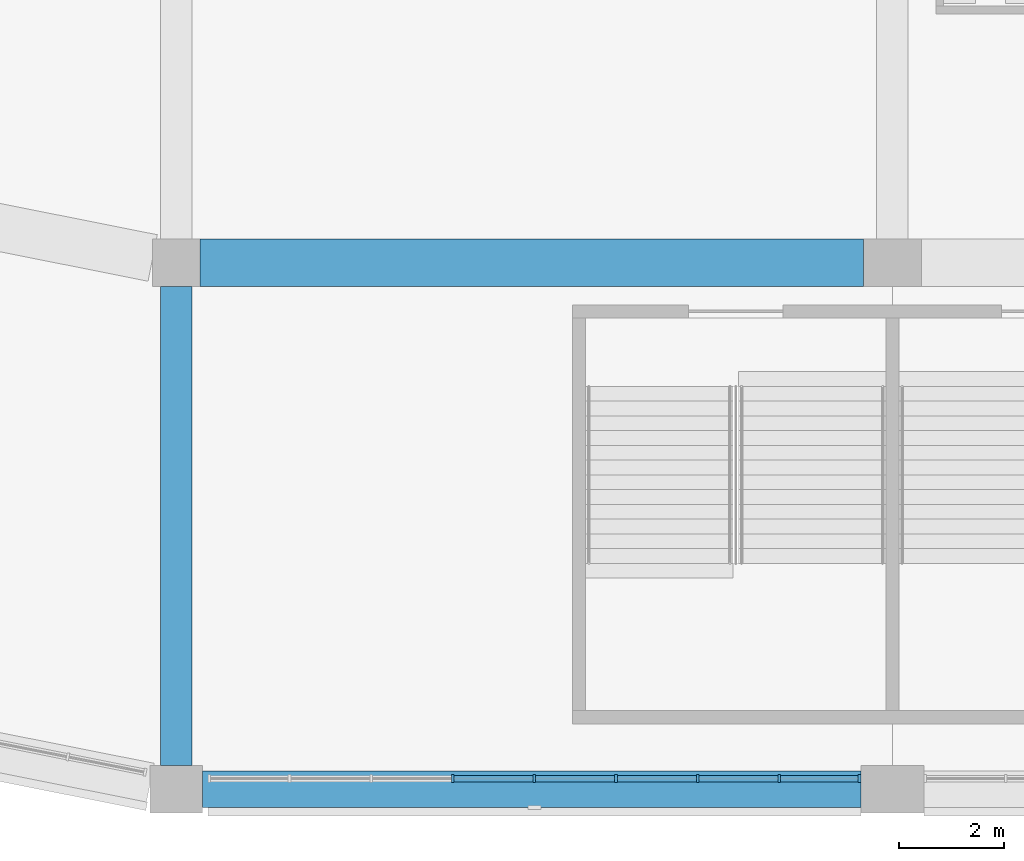
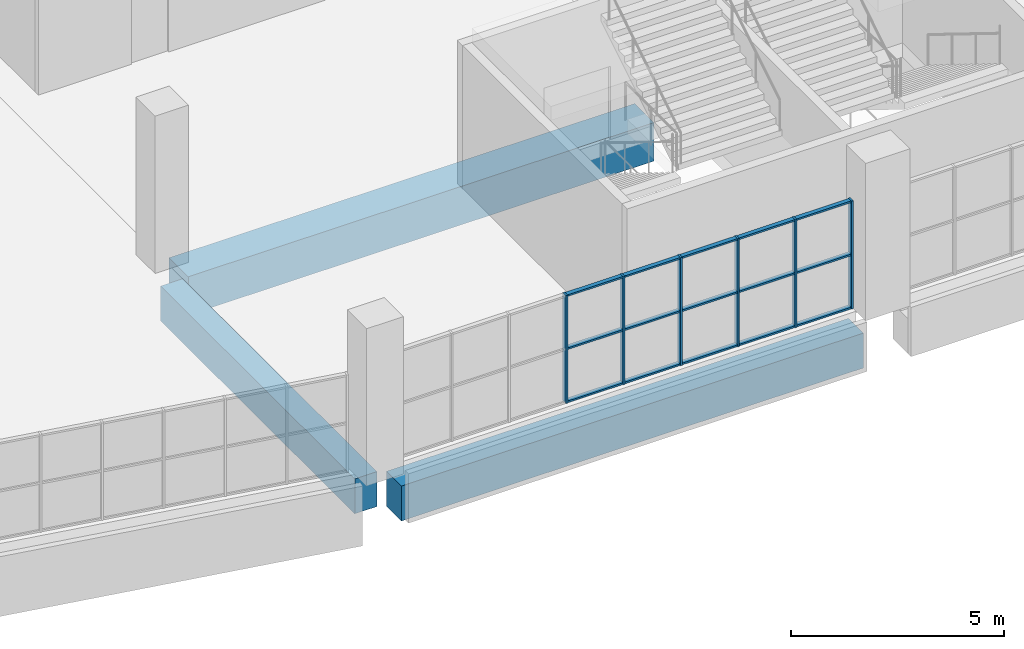
# One storey, part 6 of 199: 21 members, 3 beams, 1 element without a shape of its own.
"""IFC4 building model written with IfcOpenShell, lengths in metres."""

from ifc_helpers import new_model, si_unit, direction, frame, origin, origin_2d, place, context, subcontext, project, spatial, rectangle, extrude, material, material_profile, profile_set, type_object, element, aggregate, save


model = new_model("IFC4")

# Units and contexts
model_context = context("Model", 3, precision=1e-05, world=origin(), true_north=direction((0.0, 1.0)))
body_context = subcontext(model_context, "Body", "Model", "MODEL_VIEW")
ifc_project = project(units=[si_unit("LENGTHUNIT", "METRE"), si_unit("AREAUNIT", "SQUARE_METRE"), si_unit("VOLUMEUNIT", "CUBIC_METRE"), si_unit("PLANEANGLEUNIT", "RADIAN"), si_unit("MASSUNIT", "GRAM", prefix="KILO")], contexts=[model_context])

# Site, building, storey
site_placement = place(None, origin())
site = spatial("IfcSite", under=ifc_project, at=site_placement, CompositionType="ELEMENT")
building_placement = place(site_placement, origin())
building = spatial("IfcBuilding", under=site, at=building_placement, Name="Ogive Plaza Stadium", CompositionType="ELEMENT")
storey_placement = place(building_placement, frame((0.0, 0.0, 9.0)))
storey = spatial("IfcBuildingStorey", under=building, at=storey_placement, Name="L02", CompositionType="ELEMENT", Elevation=9.0)

# Curtain wall, members
ifc_material_1 = material(Name="Bronze-anodised aluminium with laminated glass", Category="aluminium")
curtain_wall_type = type_object("IfcCurtainWallType", Name="Lancet curtain wall", PredefinedType="NOTDEFINED", material=ifc_material_1)
curtain_wall_placement = place(storey_placement, origin())
curtain_wall = element("IfcCurtainWall", 1, at=curtain_wall_placement, inside=storey, type_object=curtain_wall_type, Name="CURTAIN WALL B16 L02", PredefinedType="NOTDEFINED")
ifc_material_2 = material(Name="Bronze-anodised aluminium", Category="aluminium")
ifc_material_profile_1 = material_profile(ifc_material_2, rectangle(XDim=0.14990234375, YDim=0.050048828125, at=origin_2d()), Name="AL 150x50")
ifc_profile_set_1 = profile_set([ifc_material_profile_1], Name="Bronze-anodised aluminium")
member_type_1 = type_object("IfcMemberType", Name="Curtain wall mullion 50x150", PredefinedType="MULLION", material=ifc_profile_set_1)
member_1_placement = place(storey_placement, frame((-21.02490234375, -102.300048828125, 0.0), z_axis=(0.0, 0.0, 1.0), x_axis=(0.0, -1.0, 0.0)))
member_1 = element("IfcMember", 2, at=member_1_placement, type_object=member_type_1, Name="CW-B16-L02 mullion 1", PredefinedType="MULLION", context=body_context, shape_type="SweptSolid", body=[
    extrude(rectangle(XDim=0.14990234375, YDim=0.050048828125, at=origin_2d()), origin(), (0.0, 0.0, 1.0), 3.090087890625),
])
member_2_placement = place(storey_placement, frame((-22.550048828125, -102.300048828125, 0.0), z_axis=(0.0, 0.0, 1.0), x_axis=(0.0, -1.0, 0.0)))
member_2 = element("IfcMember", 3, at=member_2_placement, type_object=member_type_1, Name="CW-B16-L02 mullion 2", PredefinedType="MULLION", context=body_context, shape_type="SweptSolid", body=[
    extrude(rectangle(XDim=0.14990234375, YDim=0.050048828125, at=origin_2d()), origin(), (0.0, 0.0, 1.0), 3.090087890625),
])
member_3_placement = place(storey_placement, frame((-24.10009765625, -102.300048828125, 0.0), z_axis=(0.0, 0.0, 1.0), x_axis=(0.0, -1.0, 0.0)))
member_3 = element("IfcMember", 4, at=member_3_placement, type_object=member_type_1, Name="CW-B16-L02 mullion 3", PredefinedType="MULLION", context=body_context, shape_type="SweptSolid", body=[
    extrude(rectangle(XDim=0.14990234375, YDim=0.050048828125, at=origin_2d()), origin(), (0.0, 0.0, 1.0), 3.090087890625),
])
member_4_placement = place(storey_placement, frame((-25.64990234375, -102.300048828125, 0.0), z_axis=(0.0, 0.0, 1.0), x_axis=(0.0, -1.0, 0.0)))
member_4 = element("IfcMember", 5, at=member_4_placement, type_object=member_type_1, Name="CW-B16-L02 mullion 4", PredefinedType="MULLION", context=body_context, shape_type="SweptSolid", body=[
    extrude(rectangle(XDim=0.14990234375, YDim=0.050048828125, at=origin_2d()), origin(), (0.0, 0.0, 1.0), 3.090087890625),
])
member_5_placement = place(storey_placement, frame((-27.199951171875, -102.300048828125, 0.0), z_axis=(0.0, 0.0, 1.0), x_axis=(0.0, -1.0, 0.0)))
member_5 = element("IfcMember", 6, at=member_5_placement, type_object=member_type_1, Name="CW-B16-L02 mullion 5", PredefinedType="MULLION", context=body_context, shape_type="SweptSolid", body=[
    extrude(rectangle(XDim=0.14990234375, YDim=0.050048828125, at=origin_2d()), origin(), (0.0, 0.0, 1.0), 3.090087890625),
])
member_6_placement = place(storey_placement, frame((-28.75, -102.300048828125, 0.0), z_axis=(0.0, 0.0, 1.0), x_axis=(0.0, -1.0, 0.0)))
member_6 = element("IfcMember", 7, at=member_6_placement, type_object=member_type_1, Name="CW-B16-L02 mullion 6", PredefinedType="MULLION", context=body_context, shape_type="SweptSolid", body=[
    extrude(rectangle(XDim=0.14990234375, YDim=0.050048828125, at=origin_2d()), origin(), (0.0, 0.0, 1.0), 3.090087890625),
])
ifc_material_3 = material(Name="Bronze-anodised aluminium", Category="aluminium")
ifc_material_profile_2 = material_profile(ifc_material_3, rectangle(XDim=0.1201171875, YDim=0.050048828125, at=origin_2d()), Name="AL 120x50")
ifc_profile_set_2 = profile_set([ifc_material_profile_2], Name="Bronze-anodised aluminium")
member_type_2 = type_object("IfcMemberType", Name="Curtain wall transom 50x120", PredefinedType="USERDEFINED", material=ifc_profile_set_2)
member_7_placement = place(storey_placement, frame((-21.050048828125, -102.300048828125, 0.02490234375), z_axis=(-1.0, 0.0, 0.0), x_axis=(0.0, -1.0, 0.0)))
member_7 = element("IfcMember", 8, at=member_7_placement, type_object=member_type_2, Name="CW-B16-L02 transom 1.1", ObjectType="TRANSOM", PredefinedType="USERDEFINED", context=body_context, shape_type="SweptSolid", body=[
    extrude(rectangle(XDim=0.1201171875, YDim=0.050048828125, at=origin_2d()), origin(), (0.0, 0.0, 1.0), 1.474853515625),
])
member_8_placement = place(storey_placement, frame((-21.050048828125, -102.300048828125, 1.544921875), z_axis=(-1.0, 0.0, 0.0), x_axis=(0.0, -1.0, 0.0)))
member_8 = element("IfcMember", 9, at=member_8_placement, type_object=member_type_2, Name="CW-B16-L02 transom 1.2", ObjectType="TRANSOM", PredefinedType="USERDEFINED", context=body_context, shape_type="SweptSolid", body=[
    extrude(rectangle(XDim=0.1201171875, YDim=0.050048828125, at=origin_2d()), origin(), (0.0, 0.0, 1.0), 1.474853515625),
])
member_9_placement = place(storey_placement, frame((-21.050048828125, -102.300048828125, 3.06494140625), z_axis=(-1.0, 0.0, 0.0), x_axis=(0.0, -1.0, 0.0)))
member_9 = element("IfcMember", 10, at=member_9_placement, type_object=member_type_2, Name="CW-B16-L02 transom 1.3", ObjectType="TRANSOM", PredefinedType="USERDEFINED", context=body_context, shape_type="SweptSolid", body=[
    extrude(rectangle(XDim=0.1201171875, YDim=0.050048828125, at=origin_2d()), origin(), (0.0, 0.0, 1.0), 1.474853515625),
])
member_10_placement = place(storey_placement, frame((-22.574951171875, -102.300048828125, 0.02490234375), z_axis=(-1.0, 0.0, 0.0), x_axis=(0.0, -1.0, 0.0)))
member_10 = element("IfcMember", 11, at=member_10_placement, type_object=member_type_2, Name="CW-B16-L02 transom 2.1", ObjectType="TRANSOM", PredefinedType="USERDEFINED", context=body_context, shape_type="SweptSolid", body=[
    extrude(rectangle(XDim=0.1201171875, YDim=0.050048828125, at=origin_2d()), origin(), (0.0, 0.0, 1.0), 1.5),
])
member_11_placement = place(storey_placement, frame((-22.574951171875, -102.300048828125, 1.544921875), z_axis=(-1.0, 0.0, 0.0), x_axis=(0.0, -1.0, 0.0)))
member_11 = element("IfcMember", 12, at=member_11_placement, type_object=member_type_2, Name="CW-B16-L02 transom 2.2", ObjectType="TRANSOM", PredefinedType="USERDEFINED", context=body_context, shape_type="SweptSolid", body=[
    extrude(rectangle(XDim=0.1201171875, YDim=0.050048828125, at=origin_2d()), origin(), (0.0, 0.0, 1.0), 1.5),
])
member_12_placement = place(storey_placement, frame((-22.574951171875, -102.300048828125, 3.06494140625), z_axis=(-1.0, 0.0, 0.0), x_axis=(0.0, -1.0, 0.0)))
member_12 = element("IfcMember", 13, at=member_12_placement, type_object=member_type_2, Name="CW-B16-L02 transom 2.3", ObjectType="TRANSOM", PredefinedType="USERDEFINED", context=body_context, shape_type="SweptSolid", body=[
    extrude(rectangle(XDim=0.1201171875, YDim=0.050048828125, at=origin_2d()), origin(), (0.0, 0.0, 1.0), 1.5),
])
member_13_placement = place(storey_placement, frame((-24.125, -102.300048828125, 0.02490234375), z_axis=(-1.0, 0.0, 0.0), x_axis=(0.0, -1.0, 0.0)))
member_13 = element("IfcMember", 14, at=member_13_placement, type_object=member_type_2, Name="CW-B16-L02 transom 3.1", ObjectType="TRANSOM", PredefinedType="USERDEFINED", context=body_context, shape_type="SweptSolid", body=[
    extrude(rectangle(XDim=0.1201171875, YDim=0.050048828125, at=origin_2d()), origin(), (0.0, 0.0, 1.0), 1.5),
])
member_14_placement = place(storey_placement, frame((-24.125, -102.300048828125, 1.544921875), z_axis=(-1.0, 0.0, 0.0), x_axis=(0.0, -1.0, 0.0)))
member_14 = element("IfcMember", 15, at=member_14_placement, type_object=member_type_2, Name="CW-B16-L02 transom 3.2", ObjectType="TRANSOM", PredefinedType="USERDEFINED", context=body_context, shape_type="SweptSolid", body=[
    extrude(rectangle(XDim=0.1201171875, YDim=0.050048828125, at=origin_2d()), origin(), (0.0, 0.0, 1.0), 1.5),
])
member_15_placement = place(storey_placement, frame((-24.125, -102.300048828125, 3.06494140625), z_axis=(-1.0, 0.0, 0.0), x_axis=(0.0, -1.0, 0.0)))
member_15 = element("IfcMember", 16, at=member_15_placement, type_object=member_type_2, Name="CW-B16-L02 transom 3.3", ObjectType="TRANSOM", PredefinedType="USERDEFINED", context=body_context, shape_type="SweptSolid", body=[
    extrude(rectangle(XDim=0.1201171875, YDim=0.050048828125, at=origin_2d()), origin(), (0.0, 0.0, 1.0), 1.5),
])
member_16_placement = place(storey_placement, frame((-25.675048828125, -102.300048828125, 0.02490234375), z_axis=(-1.0, 0.0, 0.0), x_axis=(0.0, -1.0, 0.0)))
member_16 = element("IfcMember", 17, at=member_16_placement, type_object=member_type_2, Name="CW-B16-L02 transom 4.1", ObjectType="TRANSOM", PredefinedType="USERDEFINED", context=body_context, shape_type="SweptSolid", body=[
    extrude(rectangle(XDim=0.1201171875, YDim=0.050048828125, at=origin_2d()), origin(), (0.0, 0.0, 1.0), 1.5),
])
member_17_placement = place(storey_placement, frame((-25.675048828125, -102.300048828125, 1.544921875), z_axis=(-1.0, 0.0, 0.0), x_axis=(0.0, -1.0, 0.0)))
member_17 = element("IfcMember", 18, at=member_17_placement, type_object=member_type_2, Name="CW-B16-L02 transom 4.2", ObjectType="TRANSOM", PredefinedType="USERDEFINED", context=body_context, shape_type="SweptSolid", body=[
    extrude(rectangle(XDim=0.1201171875, YDim=0.050048828125, at=origin_2d()), origin(), (0.0, 0.0, 1.0), 1.5),
])
member_18_placement = place(storey_placement, frame((-25.675048828125, -102.300048828125, 3.06494140625), z_axis=(-1.0, 0.0, 0.0), x_axis=(0.0, -1.0, 0.0)))
member_18 = element("IfcMember", 19, at=member_18_placement, type_object=member_type_2, Name="CW-B16-L02 transom 4.3", ObjectType="TRANSOM", PredefinedType="USERDEFINED", context=body_context, shape_type="SweptSolid", body=[
    extrude(rectangle(XDim=0.1201171875, YDim=0.050048828125, at=origin_2d()), origin(), (0.0, 0.0, 1.0), 1.5),
])
member_19_placement = place(storey_placement, frame((-27.22509765625, -102.300048828125, 0.02490234375), z_axis=(-1.0, 0.0, 0.0), x_axis=(0.0, -1.0, 0.0)))
member_19 = element("IfcMember", 20, at=member_19_placement, type_object=member_type_2, Name="CW-B16-L02 transom 5.1", ObjectType="TRANSOM", PredefinedType="USERDEFINED", context=body_context, shape_type="SweptSolid", body=[
    extrude(rectangle(XDim=0.1201171875, YDim=0.050048828125, at=origin_2d()), origin(), (0.0, 0.0, 1.0), 1.5),
])
member_20_placement = place(storey_placement, frame((-27.22509765625, -102.300048828125, 1.544921875), z_axis=(-1.0, 0.0, 0.0), x_axis=(0.0, -1.0, 0.0)))
member_20 = element("IfcMember", 21, at=member_20_placement, type_object=member_type_2, Name="CW-B16-L02 transom 5.2", ObjectType="TRANSOM", PredefinedType="USERDEFINED", context=body_context, shape_type="SweptSolid", body=[
    extrude(rectangle(XDim=0.1201171875, YDim=0.050048828125, at=origin_2d()), origin(), (0.0, 0.0, 1.0), 1.5),
])
member_21_placement = place(storey_placement, frame((-27.22509765625, -102.300048828125, 3.06494140625), z_axis=(-1.0, 0.0, 0.0), x_axis=(0.0, -1.0, 0.0)))
member_21 = element("IfcMember", 22, at=member_21_placement, type_object=member_type_2, Name="CW-B16-L02 transom 5.3", ObjectType="TRANSOM", PredefinedType="USERDEFINED", context=body_context, shape_type="SweptSolid", body=[
    extrude(rectangle(XDim=0.1201171875, YDim=0.050048828125, at=origin_2d()), origin(), (0.0, 0.0, 1.0), 1.5),
])
aggregate(curtain_wall, [member_1, member_2, member_3, member_4, member_5, member_6, member_7, member_8, member_9, member_10, member_11, member_12, member_13, member_14, member_15, member_16, member_17, member_18, member_19, member_20, member_21])

# Beams
ifc_material_4 = material(Name="Concrete C40/50", Category="concrete")
ifc_material_profile_3 = material_profile(ifc_material_4, rectangle(XDim=0.60009765625, YDim=1.0, at=origin_2d()), Name="RC 600x1000")
ifc_profile_set_3 = profile_set([ifc_material_profile_3], Name="Concrete C40/50")
beam_type_1 = type_object("IfcBeamType", Name="RC radial beam 600x1000", PredefinedType="BEAM", material=ifc_profile_set_3)
beam_1_placement = place(storey_placement, frame((-34.0, -92.949951171875, -0.909912109375), z_axis=(0.0, -1.0, 0.0), x_axis=(1.0, 0.0, 0.0)))
element("IfcBeam", 23, at=beam_1_placement, inside=storey, type_object=beam_type_1, Name="Radial beam L02 R17 F4F5", PredefinedType="BEAM", context=body_context, shape_type="SweptSolid", body=[
    extrude(rectangle(XDim=0.60009765625, YDim=1.0, at=origin_2d()), origin(), (0.0, 0.0, 1.0), 9.10009765625),
])
ifc_material_5 = material(Name="Concrete C40/50", Category="concrete")
ifc_material_profile_4 = material_profile(ifc_material_5, rectangle(XDim=0.89990234375, YDim=1.10009765625, at=origin_2d()), Name="RC 900x1100")
ifc_profile_set_4 = profile_set([ifc_material_profile_4], Name="Concrete C40/50")
beam_type_2 = type_object("IfcBeamType", Name="RC ring beam 900x1100", PredefinedType="BEAM", material=ifc_profile_set_4)
beam_2_placement = place(storey_placement, frame((-20.949951171875, -92.5, -0.9599609375), z_axis=(-1.0, 0.0, 0.0), x_axis=(0.0, -1.0, 0.0)))
element("IfcBeam", 24, at=beam_2_placement, inside=storey, type_object=beam_type_2, Name="Ring beam F4 L02 B16", PredefinedType="BEAM", context=body_context, shape_type="SweptSolid", body=[
    extrude(rectangle(XDim=0.89990234375, YDim=1.10009765625, at=origin_2d()), origin(), (0.0, 0.0, 1.0), 12.60009765625),
])
ifc_material_6 = material(Name="Concrete C40/50", Category="concrete")
ifc_material_profile_5 = material_profile(ifc_material_6, rectangle(XDim=0.699951171875, YDim=1.0, at=origin_2d()), Name="RC 700x1000")
ifc_profile_set_5 = profile_set([ifc_material_profile_5], Name="Concrete C40/50")
beam_type_3 = type_object("IfcBeamType", Name="RC spandrel beam 700x1000", PredefinedType="SPANDREL", material=ifc_profile_set_5)
beam_3_placement = place(storey_placement, frame((-21.0, -102.5, -0.909912109375), z_axis=(-1.0, 0.0, 0.0), x_axis=(0.0, -1.0, 0.0)))
element("IfcBeam", 25, at=beam_3_placement, inside=storey, type_object=beam_type_3, Name="Ring beam F5 L02 B16", PredefinedType="SPANDREL", context=body_context, shape_type="SweptSolid", body=[
    extrude(rectangle(XDim=0.699951171875, YDim=1.0, at=origin_2d()), origin(), (0.0, 0.0, 1.0), 12.5),
])

save(model, "model.ifc")
